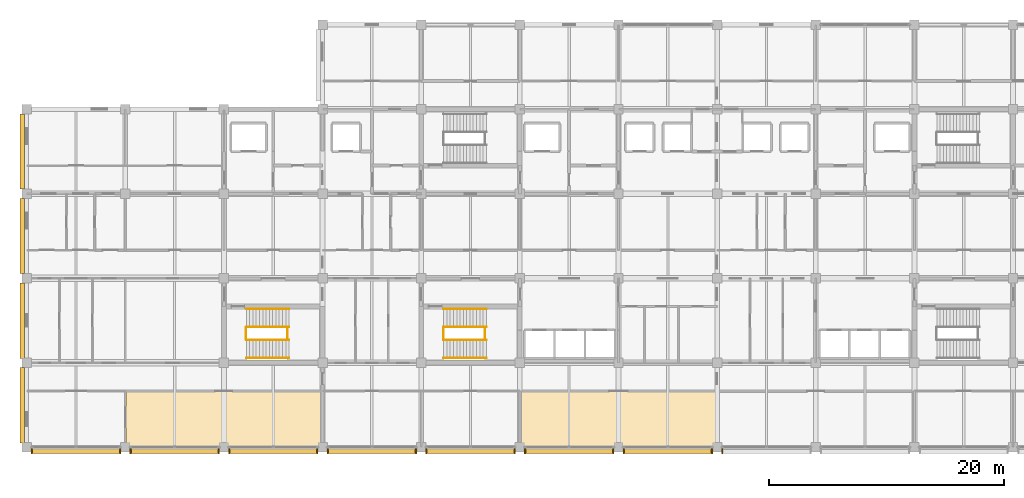
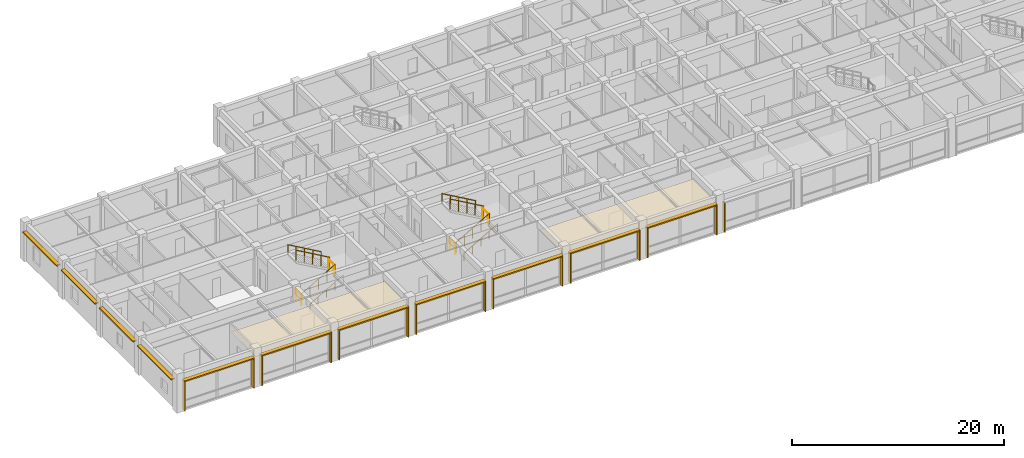
# One storey, part 28 of 30: 26 shading devices, 12 railings, 2 coverings.
"""IFC4 building model written with IfcOpenShell, lengths in metres."""

from ifc_helpers import new_model, si_unit, direction, frame, origin, origin_2d, place, context, subcontext, project, spatial, polyline, rectangle, circle, outline, extrude, material, layer, layer_set, type_object, element, save


model = new_model("IFC4")

# Units and contexts
model_context = context("Model", 3, precision=1e-05, world=origin(), true_north=direction((0.0, 1.0)))
body_context = subcontext(model_context, "Body", "Model", "MODEL_VIEW")
ifc_project = project(units=[si_unit("LENGTHUNIT", "METRE"), si_unit("AREAUNIT", "SQUARE_METRE"), si_unit("VOLUMEUNIT", "CUBIC_METRE"), si_unit("PLANEANGLEUNIT", "RADIAN"), si_unit("MASSUNIT", "GRAM", prefix="KILO")], contexts=[model_context])

# Site, building, storey
site_placement = place(None, origin())
site = spatial("IfcSite", under=ifc_project, at=site_placement, CompositionType="ELEMENT")
building_placement = place(site_placement, origin())
building = spatial("IfcBuilding", under=site, at=building_placement, Name="Chengyuan Square Courthouse", CompositionType="ELEMENT")
storey_placement = place(building_placement, frame((0.0, 0.0, 26.10009765625)))
storey = spatial("IfcBuildingStorey", under=building, at=storey_placement, Name="L06", CompositionType="ELEMENT", Elevation=26.10009765625)

# Coverings
ifc_material_1 = material(Name="Perforated Larch Glulam Acoustic Slat Ceiling", Category="wood")
ifc_layer = layer(ifc_material_1, 0.044921875)
ifc_layer_set = layer_set([ifc_layer], Name="Perforated Larch Glulam Acoustic Slat Ceiling")
covering_type = type_object("IfcCoveringType", Name="CLG-01", PredefinedType="CEILING", material=ifc_layer_set)
covering_1_placement = place(storey_placement, frame((0.0, 0.0, 3.139892578125)))
element("IfcCovering", 1, at=covering_1_placement, inside=storey, type_object=covering_type, Name="Acoustic Timber Slat Ceiling CLG-L06-CRT-M1", PredefinedType="CEILING", context=body_context, shape_type="SweptSolid", body=[
    extrude(outline(polyline([(33.64990234375, 79.25), (50.35009765625, 79.25), (50.35009765625, 83.949951171875), (33.64990234375, 83.949951171875), (33.64990234375, 79.25)])), origin(), (0.0, 0.0, 1.0), 0.044921875),
])
covering_2_placement = place(storey_placement, frame((0.0, 0.0, 3.139892578125)))
element("IfcCovering", 2, at=covering_2_placement, inside=storey, type_object=covering_type, Name="Acoustic Timber Slat Ceiling CLG-L06-CRT-M3", PredefinedType="CEILING", context=body_context, shape_type="SweptSolid", body=[
    extrude(outline(polyline([(67.25, 79.25), (83.949951171875, 79.25), (83.949951171875, 83.949951171875), (67.25, 83.949951171875), (67.25, 79.25)])), origin(), (0.0, 0.0, 1.0), 0.044921875),
])

# Railings
ifc_material_2 = material(Name="Tempered Glass and Timber Top-Rail Balustrade", Category="wood")
railing_type_1 = type_object("IfcRailingType", Name="RL-02", PredefinedType="BALUSTRADE", material=ifc_material_2)
for number, where, name in (
    (3, (60.68994140625, 88.39990234375, 0.0), "Stair Floor Slot Guard ST-3 L06"),
    (4, (64.22998046875, 88.39990234375, 2.25), "Stair Landing Guard ST-3-L06"),
):
    element("IfcRailing", number, at=place(storey_placement, frame(where)), inside=storey, type_object=railing_type_1, Name=name, PredefinedType="BALUSTRADE", context=body_context, shape_type="SweptSolid", body=[
        extrude(circle(Radius=0.02392578125, at=origin_2d()), frame((0.0, 0.0, 1.17578125), z_axis=(0.0, 1.0, 0.0), x_axis=(-1.0, 0.0, 0.0)), (0.0, 0.0, 1.0), 1.0),
        extrude(circle(Radius=0.02099609375, at=origin_2d()), origin(), (0.0, 0.0, 1.0), 1.15185546875),
        extrude(circle(Radius=0.02099609375, at=origin_2d()), frame((0.0, 1.0, 0.0)), (0.0, 0.0, 1.0), 1.15185546875),
    ])
railing_1_placement = place(storey_placement, frame((60.7099609375, 88.35009765625, 0.16064453125)))
element("IfcRailing", 5, at=railing_1_placement, inside=storey, type_object=railing_type_1, Name="Stair Flight 1 Guard ST-3-L06", PredefinedType="BALUSTRADE", context=body_context, shape_type="SweptSolid", body=[
    extrude(circle(Radius=0.02392578125, at=origin_2d()), frame((0.0, 0.0, 1.17578125), z_axis=(0.867289372828, 0.0, 0.497804322781), x_axis=(0.0, 1.0, 0.0)), (0.0, 0.0, 1.0), 4.197021484375),
    extrude(circle(Radius=0.02099609375, at=origin_2d()), origin(), (0.0, 0.0, 1.0), 1.15185546875),
    extrude(circle(Radius=0.02099609375, at=origin_2d()), frame((0.91015625, 0.0, 0.5224609375)), (0.0, 0.0, 1.0), 1.15185546875),
    extrude(circle(Radius=0.02099609375, at=origin_2d()), frame((1.820068359375, 0.0, 1.044677734375)), (0.0, 0.0, 1.0), 1.15185546875),
    extrude(circle(Radius=0.02099609375, at=origin_2d()), frame((2.72998046875, 0.0, 1.56689453125)), (0.0, 0.0, 1.0), 1.15185546875),
    extrude(circle(Radius=0.02099609375, at=origin_2d()), frame((3.64013671875, 0.0, 2.08935546875)), (0.0, 0.0, 1.0), 1.15185546875),
])
railing_2_placement = place(storey_placement, frame((64.35009765625, 89.449951171875, 2.41064453125)))
element("IfcRailing", 6, at=railing_2_placement, inside=storey, type_object=railing_type_1, Name="Stair Flight 2 Guard ST-3-L06", PredefinedType="BALUSTRADE", context=body_context, shape_type="SweptSolid", body=[
    extrude(circle(Radius=0.02392578125, at=origin_2d()), frame((0.0, 0.0, 1.17578125), z_axis=(-0.867289372828, 0.0, 0.497804322781), x_axis=(0.0, -1.0, 0.0)), (0.0, 0.0, 1.0), 4.197021484375),
    extrude(circle(Radius=0.02099609375, at=origin_2d()), origin(), (0.0, 0.0, 1.0), 1.15185546875),
    extrude(circle(Radius=0.02099609375, at=origin_2d()), frame((-0.91015625, 0.0, 0.5224609375)), (0.0, 0.0, 1.0), 1.15185546875),
    extrude(circle(Radius=0.02099609375, at=origin_2d()), frame((-1.820068359375, 0.0, 1.044677734375)), (0.0, 0.0, 1.0), 1.15185546875),
    extrude(circle(Radius=0.02099609375, at=origin_2d()), frame((-2.72998046875, 0.0, 1.56689453125)), (0.0, 0.0, 1.0), 1.15185546875),
    extrude(circle(Radius=0.02099609375, at=origin_2d()), frame((-3.64013671875, 0.0, 2.08935546875)), (0.0, 0.0, 1.0), 1.15185546875),
])
for number, where, name in (
    (7, (43.889892578125, 88.39990234375, 0.0), "Stair Floor Slot Guard ST-5 L06"),
    (8, (47.429931640625, 88.39990234375, 2.25), "Stair Landing Guard ST-5-L06"),
):
    element("IfcRailing", number, at=place(storey_placement, frame(where)), inside=storey, type_object=railing_type_1, Name=name, PredefinedType="BALUSTRADE", context=body_context, shape_type="SweptSolid", body=[
        extrude(circle(Radius=0.02392578125, at=origin_2d()), frame((0.0, 0.0, 1.17578125), z_axis=(0.0, 1.0, 0.0), x_axis=(-1.0, 0.0, 0.0)), (0.0, 0.0, 1.0), 1.0),
        extrude(circle(Radius=0.02099609375, at=origin_2d()), origin(), (0.0, 0.0, 1.0), 1.15185546875),
        extrude(circle(Radius=0.02099609375, at=origin_2d()), frame((0.0, 1.0, 0.0)), (0.0, 0.0, 1.0), 1.15185546875),
    ])
railing_3_placement = place(storey_placement, frame((43.909912109375, 88.35009765625, 0.16064453125)))
element("IfcRailing", 9, at=railing_3_placement, inside=storey, type_object=railing_type_1, Name="Stair Flight 1 Guard ST-5-L06", PredefinedType="BALUSTRADE", context=body_context, shape_type="SweptSolid", body=[
    extrude(circle(Radius=0.02392578125, at=origin_2d()), frame((0.0, 0.0, 1.17578125), z_axis=(0.867289372828, 0.0, 0.497804322781), x_axis=(0.0, 1.0, 0.0)), (0.0, 0.0, 1.0), 4.197021484375),
    extrude(circle(Radius=0.02099609375, at=origin_2d()), origin(), (0.0, 0.0, 1.0), 1.15185546875),
    extrude(circle(Radius=0.02099609375, at=origin_2d()), frame((0.91015625, 0.0, 0.5224609375)), (0.0, 0.0, 1.0), 1.15185546875),
    extrude(circle(Radius=0.02099609375, at=origin_2d()), frame((1.820068359375, 0.0, 1.044677734375)), (0.0, 0.0, 1.0), 1.15185546875),
    extrude(circle(Radius=0.02099609375, at=origin_2d()), frame((2.72998046875, 0.0, 1.56689453125)), (0.0, 0.0, 1.0), 1.15185546875),
    extrude(circle(Radius=0.02099609375, at=origin_2d()), frame((3.64013671875, 0.0, 2.08935546875)), (0.0, 0.0, 1.0), 1.15185546875),
])
railing_4_placement = place(storey_placement, frame((47.550048828125, 89.449951171875, 2.41064453125)))
element("IfcRailing", 10, at=railing_4_placement, inside=storey, type_object=railing_type_1, Name="Stair Flight 2 Guard ST-5-L06", PredefinedType="BALUSTRADE", context=body_context, shape_type="SweptSolid", body=[
    extrude(circle(Radius=0.02392578125, at=origin_2d()), frame((0.0, 0.0, 1.17578125), z_axis=(-0.867289372828, 0.0, 0.497804322781), x_axis=(0.0, -1.0, 0.0)), (0.0, 0.0, 1.0), 4.197021484375),
    extrude(circle(Radius=0.02099609375, at=origin_2d()), origin(), (0.0, 0.0, 1.0), 1.15185546875),
    extrude(circle(Radius=0.02099609375, at=origin_2d()), frame((-0.91015625, 0.0, 0.5224609375)), (0.0, 0.0, 1.0), 1.15185546875),
    extrude(circle(Radius=0.02099609375, at=origin_2d()), frame((-1.820068359375, 0.0, 1.044677734375)), (0.0, 0.0, 1.0), 1.15185546875),
    extrude(circle(Radius=0.02099609375, at=origin_2d()), frame((-2.72998046875, 0.0, 1.56689453125)), (0.0, 0.0, 1.0), 1.15185546875),
    extrude(circle(Radius=0.02099609375, at=origin_2d()), frame((-3.64013671875, 0.0, 2.08935546875)), (0.0, 0.0, 1.0), 1.15185546875),
])
ifc_material_3 = material(Name="Stainless Steel S30408 Stair Handrail", Category="steel")
railing_type_2 = type_object("IfcRailingType", Name="RL-04", PredefinedType="HANDRAIL", material=ifc_material_3)
railing_5_placement = place(storey_placement, frame((60.7099609375, 86.820068359375, 0.16064453125)))
element("IfcRailing", 11, at=railing_5_placement, inside=storey, type_object=railing_type_2, Name="Stair Flight 1 Handrail ST-3-L06", PredefinedType="HANDRAIL", context=body_context, shape_type="SweptSolid", body=[
    extrude(circle(Radius=0.02392578125, at=origin_2d()), frame((0.0, 0.0, 0.8759765625), z_axis=(0.867289372828, 0.0, 0.497804322781), x_axis=(0.0, 1.0, 0.0)), (0.0, 0.0, 1.0), 4.197021484375),
    extrude(circle(Radius=0.02099609375, at=origin_2d()), origin(), (0.0, 0.0, 1.0), 0.851806640625),
    extrude(circle(Radius=0.02099609375, at=origin_2d()), frame((0.91015625, 0.0, 0.5224609375)), (0.0, 0.0, 1.0), 0.851806640625),
    extrude(circle(Radius=0.02099609375, at=origin_2d()), frame((1.820068359375, 0.0, 1.044677734375)), (0.0, 0.0, 1.0), 0.851806640625),
    extrude(circle(Radius=0.02099609375, at=origin_2d()), frame((2.72998046875, 0.0, 1.56689453125)), (0.0, 0.0, 1.0), 0.851806640625),
    extrude(circle(Radius=0.02099609375, at=origin_2d()), frame((3.64013671875, 0.0, 2.08935546875)), (0.0, 0.0, 1.0), 0.851806640625),
])
railing_6_placement = place(storey_placement, frame((64.35009765625, 90.97998046875, 2.41064453125)))
element("IfcRailing", 12, at=railing_6_placement, inside=storey, type_object=railing_type_2, Name="Stair Flight 2 Handrail ST-3-L06", PredefinedType="HANDRAIL", context=body_context, shape_type="SweptSolid", body=[
    extrude(circle(Radius=0.02392578125, at=origin_2d()), frame((0.0, 0.0, 0.8759765625), z_axis=(-0.867289372828, 0.0, 0.497804322781), x_axis=(0.0, -1.0, 0.0)), (0.0, 0.0, 1.0), 4.197021484375),
    extrude(circle(Radius=0.02099609375, at=origin_2d()), origin(), (0.0, 0.0, 1.0), 0.851806640625),
    extrude(circle(Radius=0.02099609375, at=origin_2d()), frame((-0.91015625, 0.0, 0.5224609375)), (0.0, 0.0, 1.0), 0.851806640625),
    extrude(circle(Radius=0.02099609375, at=origin_2d()), frame((-1.820068359375, 0.0, 1.044677734375)), (0.0, 0.0, 1.0), 0.851806640625),
    extrude(circle(Radius=0.02099609375, at=origin_2d()), frame((-2.72998046875, 0.0, 1.56689453125)), (0.0, 0.0, 1.0), 0.851806640625),
    extrude(circle(Radius=0.02099609375, at=origin_2d()), frame((-3.64013671875, 0.0, 2.08935546875)), (0.0, 0.0, 1.0), 0.851806640625),
])
railing_7_placement = place(storey_placement, frame((43.909912109375, 86.820068359375, 0.16064453125)))
element("IfcRailing", 13, at=railing_7_placement, inside=storey, type_object=railing_type_2, Name="Stair Flight 1 Handrail ST-5-L06", PredefinedType="HANDRAIL", context=body_context, shape_type="SweptSolid", body=[
    extrude(circle(Radius=0.02392578125, at=origin_2d()), frame((0.0, 0.0, 0.8759765625), z_axis=(0.867289372828, 0.0, 0.497804322781), x_axis=(0.0, 1.0, 0.0)), (0.0, 0.0, 1.0), 4.197021484375),
    extrude(circle(Radius=0.02099609375, at=origin_2d()), origin(), (0.0, 0.0, 1.0), 0.851806640625),
    extrude(circle(Radius=0.02099609375, at=origin_2d()), frame((0.91015625, 0.0, 0.5224609375)), (0.0, 0.0, 1.0), 0.851806640625),
    extrude(circle(Radius=0.02099609375, at=origin_2d()), frame((1.820068359375, 0.0, 1.044677734375)), (0.0, 0.0, 1.0), 0.851806640625),
    extrude(circle(Radius=0.02099609375, at=origin_2d()), frame((2.72998046875, 0.0, 1.56689453125)), (0.0, 0.0, 1.0), 0.851806640625),
    extrude(circle(Radius=0.02099609375, at=origin_2d()), frame((3.64013671875, 0.0, 2.08935546875)), (0.0, 0.0, 1.0), 0.851806640625),
])
railing_8_placement = place(storey_placement, frame((47.550048828125, 90.97998046875, 2.41064453125)))
element("IfcRailing", 14, at=railing_8_placement, inside=storey, type_object=railing_type_2, Name="Stair Flight 2 Handrail ST-5-L06", PredefinedType="HANDRAIL", context=body_context, shape_type="SweptSolid", body=[
    extrude(circle(Radius=0.02392578125, at=origin_2d()), frame((0.0, 0.0, 0.8759765625), z_axis=(-0.867289372828, 0.0, 0.497804322781), x_axis=(0.0, -1.0, 0.0)), (0.0, 0.0, 1.0), 4.197021484375),
    extrude(circle(Radius=0.02099609375, at=origin_2d()), origin(), (0.0, 0.0, 1.0), 0.851806640625),
    extrude(circle(Radius=0.02099609375, at=origin_2d()), frame((-0.91015625, 0.0, 0.5224609375)), (0.0, 0.0, 1.0), 0.851806640625),
    extrude(circle(Radius=0.02099609375, at=origin_2d()), frame((-1.820068359375, 0.0, 1.044677734375)), (0.0, 0.0, 1.0), 0.851806640625),
    extrude(circle(Radius=0.02099609375, at=origin_2d()), frame((-2.72998046875, 0.0, 1.56689453125)), (0.0, 0.0, 1.0), 0.851806640625),
    extrude(circle(Radius=0.02099609375, at=origin_2d()), frame((-3.64013671875, 0.0, 2.08935546875)), (0.0, 0.0, 1.0), 0.851806640625),
])

# Shading devices
ifc_material_4 = material(Name="Glulam TCt28 Solar Shading Fin", Category="wood")
shading_device_type_1 = type_object("IfcShadingDeviceType", Name="SHD-01", PredefinedType="JALOUSIE", material=ifc_material_4)
for number, where, z_axis, x_axis, name in (
    (15, (25.639892578125, 78.887939453125, 0.0400390625), (0.0, 0.0, 1.0), (0.0, 1.0, 0.0), "Glulam Solar Fin SHD-L06-0577"),
    (16, (33.159912109375, 78.887939453125, 0.0400390625), (0.0, 0.0, 1.0), (0.0, 1.0, 0.0), "Glulam Solar Fin SHD-L06-0578"),
    (17, (34.0400390625, 78.887939453125, 0.0400390625), (0.0, 0.0, 1.0), (0.0, 1.0, 0.0), "Glulam Solar Fin SHD-L06-0584"),
    (18, (41.56005859375, 78.887939453125, 0.0400390625), (0.0, 0.0, 1.0), (0.0, 1.0, 0.0), "Glulam Solar Fin SHD-L06-0585"),
    (19, (42.43994140625, 78.887939453125, 0.0400390625), (0.0, 0.0, 1.0), (0.0, 1.0, 0.0), "Glulam Solar Fin SHD-L06-0587"),
    (20, (49.9599609375, 78.887939453125, 0.0400390625), (0.0, 0.0, 1.0), (0.0, 1.0, 0.0), "Glulam Solar Fin SHD-L06-0588"),
    (21, (50.840087890625, 78.887939453125, 0.0400390625), (0.0, 0.0, 1.0), (0.0, 1.0, 0.0), "Glulam Solar Fin SHD-L06-0590"),
    (22, (58.360107421875, 78.887939453125, 0.0400390625), (0.0, 0.0, 1.0), (0.0, 1.0, 0.0), "Glulam Solar Fin SHD-L06-0591"),
    (23, (59.239990234375, 78.887939453125, 0.0400390625), (0.0, 0.0, 1.0), (0.0, 1.0, 0.0), "Glulam Solar Fin SHD-L06-0594"),
    (24, (66.760009765625, 78.887939453125, 0.0400390625), (0.0, 0.0, 1.0), (0.0, 1.0, 0.0), "Glulam Solar Fin SHD-L06-0595"),
    (25, (67.639892578125, 78.887939453125, 0.0400390625), (0.0, 0.0, 1.0), (0.0, 1.0, 0.0), "Glulam Solar Fin SHD-L06-0597"),
    (26, (75.159912109375, 78.887939453125, 0.0400390625), (0.0, 0.0, 1.0), (0.0, 1.0, 0.0), "Glulam Solar Fin SHD-L06-0598"),
    (27, (76.0400390625, 78.887939453125, 0.0400390625), (0.0, 0.0, 1.0), (0.0, 1.0, 0.0), "Glulam Solar Fin SHD-L06-0600"),
    (28, (83.56005859375, 78.887939453125, 0.0400390625), (0.0, 0.0, 1.0), (0.0, 1.0, 0.0), "Glulam Solar Fin SHD-L06-0601"),
    (29, (84.43994140625, 78.887939453125, 0.0400390625), (0.0, 0.0, 1.0), (0.0, 1.0, 0.0), "Glulam Solar Fin SHD-L06-0603"),
):
    element("IfcShadingDevice", number, at=place(storey_placement, frame(where, z_axis=z_axis, x_axis=x_axis)), inside=storey, type_object=shading_device_type_1, Name=name, PredefinedType="JALOUSIE", context=body_context, shape_type="SweptSolid", body=[
        extrude(rectangle(XDim=0.419921875, YDim=0.094970703125, at=origin_2d()), origin(), (0.0, 0.0, 1.0), 3.3798828125),
    ])
ifc_material_5 = material(Name="Glulam TCt28 Sunshade Louvre", Category="wood")
shading_device_type_2 = type_object("IfcShadingDeviceType", Name="SHD-02", PredefinedType="AWNING", material=ifc_material_5)
for number, where, z_axis, x_axis, name in (
    (30, (29.39990234375, 78.887939453125, 3.419921875), (0.0, 0.0, 1.0), (1.0, 0.0, 0.0), "Glulam Sunshade Louvre SHD-L06-0579"),
    (31, (37.800048828125, 78.887939453125, 3.419921875), (0.0, 0.0, 1.0), (1.0, 0.0, 0.0), "Glulam Sunshade Louvre SHD-L06-0586"),
    (32, (46.199951171875, 78.887939453125, 3.419921875), (0.0, 0.0, 1.0), (1.0, 0.0, 0.0), "Glulam Sunshade Louvre SHD-L06-0589"),
    (33, (54.60009765625, 78.887939453125, 3.419921875), (0.0, 0.0, 1.0), (1.0, 0.0, 0.0), "Glulam Sunshade Louvre SHD-L06-0592"),
    (34, (63.0, 78.887939453125, 3.419921875), (0.0, 0.0, 1.0), (1.0, 0.0, 0.0), "Glulam Sunshade Louvre SHD-L06-0596"),
    (35, (71.39990234375, 78.887939453125, 3.419921875), (0.0, 0.0, 1.0), (1.0, 0.0, 0.0), "Glulam Sunshade Louvre SHD-L06-0599"),
    (36, (79.800048828125, 78.887939453125, 3.419921875), (0.0, 0.0, 1.0), (1.0, 0.0, 0.0), "Glulam Sunshade Louvre SHD-L06-0602"),
):
    element("IfcShadingDevice", number, at=place(storey_placement, frame(where, z_axis=z_axis, x_axis=x_axis)), inside=storey, type_object=shading_device_type_2, Name=name, PredefinedType="AWNING", context=body_context, shape_type="SweptSolid", body=[
        extrude(rectangle(XDim=7.60009765625, YDim=0.43994140625, at=origin_2d()), origin(), (0.0, 0.0, 1.0), 0.139892578125),
    ])
ifc_material_6 = material(Name="Glulam TCt28 Facade Sunshade", Category="wood")
shading_device_type_3 = type_object("IfcShadingDeviceType", Name="SHD-03", PredefinedType="AWNING", material=ifc_material_6)
for number, where, z_axis, x_axis, name in (
    (37, (24.8330078125, 82.800048828125, 3.39990234375), (0.0, 0.0, 1.0), (0.0, 1.0, 0.0), "Glulam Facade Sunshade SHD-L06-0580"),
    (38, (24.8330078125, 90.0, 3.39990234375), (0.0, 0.0, 1.0), (0.0, 1.0, 0.0), "Glulam Facade Sunshade SHD-L06-0581"),
    (39, (24.8330078125, 97.199951171875, 3.39990234375), (0.0, 0.0, 1.0), (0.0, 1.0, 0.0), "Glulam Facade Sunshade SHD-L06-0582"),
    (40, (24.8330078125, 104.39990234375, 3.39990234375), (0.0, 0.0, 1.0), (0.0, 1.0, 0.0), "Glulam Facade Sunshade SHD-L06-0583"),
):
    element("IfcShadingDevice", number, at=place(storey_placement, frame(where, z_axis=z_axis, x_axis=x_axis)), inside=storey, type_object=shading_device_type_3, Name=name, PredefinedType="AWNING", context=body_context, shape_type="SweptSolid", body=[
        extrude(rectangle(XDim=6.409912109375, YDim=0.39990234375, at=origin_2d()), origin(), (0.0, 0.0, 1.0), 0.139892578125),
    ])

save(model, "model.ifc")
